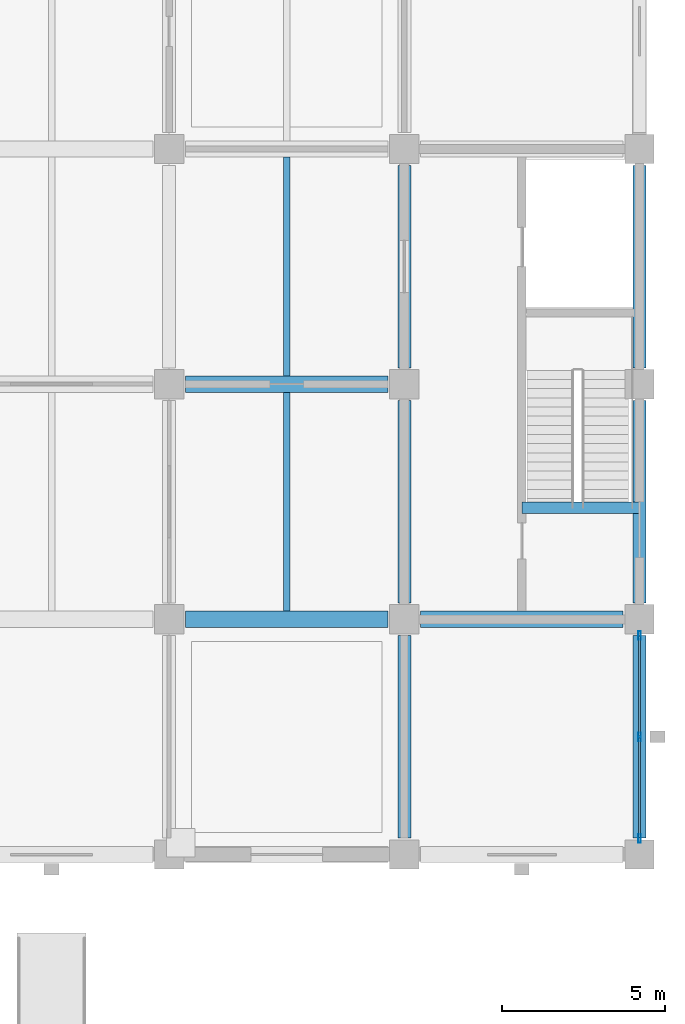
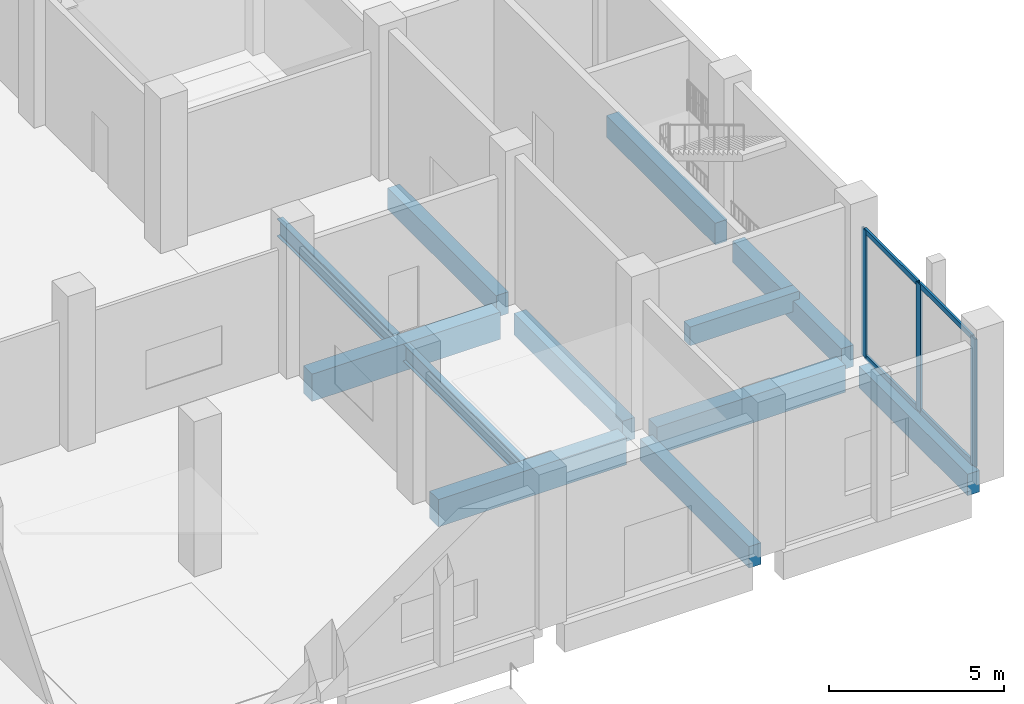
# One storey, part 35 of 70: 12 beams, 7 members, 1 element without a shape of its own.
"""IFC4 building model written with IfcOpenShell, lengths in metres."""

from ifc_helpers import new_model, si_unit, direction, frame, origin, origin_2d, place, context, subcontext, project, spatial, rectangle, hollow_rectangle, i_section, extrude, material, material_profile, profile_set, type_object, element, aggregate, save


model = new_model("IFC4")

# Units and contexts
model_context = context("Model", 3, precision=1e-05, world=origin(), true_north=direction((0.0, 1.0)))
body_context = subcontext(model_context, "Body", "Model", "MODEL_VIEW")
ifc_project = project(units=[si_unit("LENGTHUNIT", "METRE"), si_unit("AREAUNIT", "SQUARE_METRE"), si_unit("VOLUMEUNIT", "CUBIC_METRE"), si_unit("PLANEANGLEUNIT", "RADIAN"), si_unit("MASSUNIT", "GRAM", prefix="KILO")], contexts=[model_context])

# Site, building, storey
site_placement = place(None, origin())
site = spatial("IfcSite", under=ifc_project, at=site_placement, CompositionType="ELEMENT")
building_placement = place(site_placement, origin())
building = spatial("IfcBuilding", under=site, at=building_placement, Name="Vesperath Aquatics Centre", CompositionType="ELEMENT")
storey_placement = place(building_placement, origin())
storey = spatial("IfcBuildingStorey", under=building, at=storey_placement, Name="L00", CompositionType="ELEMENT", Elevation=0.0)

# Beams
ifc_material_1 = material(Name="Concrete C40", Category="concrete")
ifc_material_profile_1 = material_profile(ifc_material_1, rectangle(XDim=0.5, YDim=0.949951171875, at=origin_2d()), Name="RC 500x950")
ifc_profile_set_1 = profile_set([ifc_material_profile_1], Name="Concrete C40")
beam_type_1 = type_object("IfcBeamType", Name="BM-G02", PredefinedType="BEAM", material=ifc_profile_set_1)
for number, where, z_axis, x_axis, name in (
    (1, (158.89990234375, 7.199951171875, -0.7548828125), (1.0, 0.0, 0.0), (0.0, 1.0, 0.0), "Floor Girder B02 L00 B 23-24"),
    (2, (158.89990234375, 14.39990234375, -0.7548828125), (1.0, 0.0, 0.0), (0.0, 1.0, 0.0), "Floor Girder B02 L00 C 23-24"),
):
    element("IfcBeam", number, at=place(storey_placement, frame(where, z_axis=z_axis, x_axis=x_axis)), inside=storey, type_object=beam_type_1, Name=name, PredefinedType="BEAM", context=body_context, shape_type="SweptSolid", body=[
        extrude(rectangle(XDim=0.5, YDim=0.949951171875, at=origin_2d()), origin(), (0.0, 0.0, 1.0), 6.2001953125),
    ])
beam_1_placement = place(storey_placement, frame((166.10009765625, 7.199951171875, -0.7548828125), z_axis=(1.0, 0.0, 0.0), x_axis=(0.0, 1.0, 0.0)))
element("IfcBeam", 3, at=beam_1_placement, inside=storey, type_object=beam_type_1, Name="Floor Girder B02 L00 B 24-25", PredefinedType="BEAM", context=body_context, shape_type="SweptSolid", body=[
    extrude(rectangle(XDim=0.5, YDim=0.949951171875, at=origin_2d()), origin(), (0.0, 0.0, 1.0), 6.199951171875),
])
ifc_material_2 = material(Name="Concrete C35", Category="concrete")
ifc_material_profile_2 = material_profile(ifc_material_2, rectangle(XDim=0.39990234375, YDim=0.75, at=origin_2d()), Name="RC 400x750")
ifc_profile_set_2 = profile_set([ifc_material_profile_2], Name="Concrete C35")
beam_type_2 = type_object("IfcBeamType", Name="BM-G04", PredefinedType="BEAM", material=ifc_profile_set_2)
for number, where, z_axis, x_axis, name in (
    (4, (165.60009765625, 0.5, -0.655029296875), (0.0, 1.0, 0.0), (-1.0, 0.0, 0.0), "Floor Girder B04 L00 24 A-B"),
    (5, (165.60009765625, 7.699951171875, -0.655029296875), (0.0, 1.0, 0.0), (-1.0, 0.0, 0.0), "Floor Girder B04 L00 24 B-C"),
):
    element("IfcBeam", number, at=place(storey_placement, frame(where, z_axis=z_axis, x_axis=x_axis)), inside=storey, type_object=beam_type_2, Name=name, PredefinedType="BEAM", context=body_context, shape_type="SweptSolid", body=[
        extrude(rectangle(XDim=0.39990234375, YDim=0.75, at=origin_2d()), origin(), (0.0, 0.0, 1.0), 6.199951171875),
    ])
beam_2_placement = place(storey_placement, frame((165.60009765625, 14.89990234375, -0.655029296875), z_axis=(0.0, 1.0, 0.0), x_axis=(-1.0, 0.0, 0.0)))
element("IfcBeam", 6, at=beam_2_placement, inside=storey, type_object=beam_type_2, Name="Floor Girder B04 L00 24 C-D", PredefinedType="BEAM", context=body_context, shape_type="SweptSolid", body=[
    extrude(rectangle(XDim=0.39990234375, YDim=0.75, at=origin_2d()), origin(), (0.0, 0.0, 1.0), 6.2001953125),
])
for number, where, z_axis, x_axis, name in (
    (7, (172.800048828125, 0.5, -0.655029296875), (0.0, 1.0, 0.0), (-1.0, 0.0, 0.0), "Floor Girder B04 L00 25 A-B"),
    (8, (172.800048828125, 7.699951171875, -0.655029296875), (0.0, 1.0, 0.0), (-1.0, 0.0, 0.0), "Floor Girder B04 L00 25 B-C"),
):
    element("IfcBeam", number, at=place(storey_placement, frame(where, z_axis=z_axis, x_axis=x_axis)), inside=storey, type_object=beam_type_2, Name=name, PredefinedType="BEAM", context=body_context, shape_type="SweptSolid", body=[
        extrude(rectangle(XDim=0.39990234375, YDim=0.75, at=origin_2d()), origin(), (0.0, 0.0, 1.0), 6.199951171875),
    ])
beam_3_placement = place(storey_placement, frame((172.800048828125, 14.89990234375, -0.655029296875), z_axis=(0.0, 1.0, 0.0), x_axis=(-1.0, 0.0, 0.0)))
element("IfcBeam", 9, at=beam_3_placement, inside=storey, type_object=beam_type_2, Name="Floor Girder B04 L00 25 C-D", PredefinedType="BEAM", context=body_context, shape_type="SweptSolid", body=[
    extrude(rectangle(XDim=0.39990234375, YDim=0.75, at=origin_2d()), origin(), (0.0, 0.0, 1.0), 6.2001953125),
])
ifc_material_profile_3 = material_profile(ifc_material_2, rectangle(XDim=0.35009765625, YDim=0.64990234375, at=origin_2d()), Name="RC 350x650")
ifc_profile_set_3 = profile_set([ifc_material_profile_3], Name="Concrete C35")
beam_type_3 = type_object("IfcBeamType", Name="BM-G05", PredefinedType="BEAM", material=ifc_profile_set_3)
beam_4_placement = place(storey_placement, frame((169.199951171875, 10.6201171875, -0.324951171875), z_axis=(1.0, 0.0, 0.0), x_axis=(0.0, 1.0, 0.0)))
element("IfcBeam", 10, at=beam_4_placement, inside=storey, type_object=beam_type_3, Name="Stair ST6 Landing Trimmer Beam B05 L00", PredefinedType="BEAM", context=body_context, shape_type="SweptSolid", body=[
    extrude(rectangle(XDim=0.35009765625, YDim=0.64990234375, at=origin_2d()), origin(), (0.0, 0.0, 1.0), 3.60009765625),
])
ifc_material_3 = material(Name="Steel Q355C", Category="steel")
ifc_material_profile_4 = material_profile(ifc_material_3, i_section(OverallWidth=0.199951171875, OverallDepth=0.60009765625, WebThickness=0.010986328125, FlangeThickness=0.01708984375, FilletRadius=0.02197265625, at=origin_2d()), Name="HN 600x200x11x17")
ifc_profile_set_4 = profile_set([ifc_material_profile_4], Name="Steel Q355C")
beam_type_4 = type_object("IfcBeamType", Name="BM-J01", PredefinedType="JOIST", material=ifc_profile_set_4)
beam_5_placement = place(storey_placement, frame((162.0, 7.449951171875, -0.580078125), z_axis=(0.0, 1.0, 0.0), x_axis=(-1.0, 0.0, 0.0)))
element("IfcBeam", 11, at=beam_5_placement, inside=storey, type_object=beam_type_4, Name="Secondary Floor Joist J01 L00 23/B", PredefinedType="JOIST", context=body_context, shape_type="SweptSolid", body=[
    extrude(i_section(OverallWidth=0.199951171875, OverallDepth=0.60009765625, WebThickness=0.010986328125, FlangeThickness=0.01708984375, FilletRadius=0.02197265625, at=origin_2d()), origin(), (0.0, 0.0, 1.0), 6.699951171875),
])
beam_6_placement = place(storey_placement, frame((162.0, 14.64990234375, -0.580078125), z_axis=(0.0, 1.0, 0.0), x_axis=(-1.0, 0.0, 0.0)))
element("IfcBeam", 12, at=beam_6_placement, inside=storey, type_object=beam_type_4, Name="Secondary Floor Joist J01 L00 23/C", PredefinedType="JOIST", context=body_context, shape_type="SweptSolid", body=[
    extrude(i_section(OverallWidth=0.199951171875, OverallDepth=0.60009765625, WebThickness=0.010986328125, FlangeThickness=0.01708984375, FilletRadius=0.02197265625, at=origin_2d()), origin(), (0.0, 0.0, 1.0), 6.7001953125),
])

# Curtain wall, members
ifc_material_4 = material(Name="Thermally broken anodised bronze aluminium curtain wall", Category="aluminium")
curtain_wall_type = type_object("IfcCurtainWallType", Name="CW-01", PredefinedType="NOTDEFINED", material=ifc_material_4)
curtain_wall_placement = place(storey_placement, origin())
curtain_wall = element("IfcCurtainWall", 13, at=curtain_wall_placement, inside=storey, type_object=curtain_wall_type, Name="Facade Curtain Wall CW01 L00_E_24_00", PredefinedType="NOTDEFINED")
ifc_material_5 = material(Name="Thermally broken anodised aluminium", Category="aluminium")
ifc_material_profile_5 = material_profile(ifc_material_5, hollow_rectangle(XDim=0.074951171875, YDim=0.260009765625, WallThickness=0.006103515625, at=origin_2d()), Name="CWM 75x260x6")
ifc_profile_set_5 = profile_set([ifc_material_profile_5], Name="Thermally broken anodised aluminium")
member_type_1 = type_object("IfcMemberType", Name="MB-CWM1", PredefinedType="MULLION", material=ifc_profile_set_5)
member_1_placement = place(storey_placement, frame((172.800048828125, 0.487548828125, 0.0), z_axis=(0.0, 0.0, 1.0), x_axis=(-1.0, 0.0, 0.0)))
member_1 = element("IfcMember", 14, at=member_1_placement, type_object=member_type_1, Name="CW01 mullion 1", PredefinedType="MULLION", context=body_context, shape_type="SweptSolid", body=[
    extrude(hollow_rectangle(XDim=0.074951171875, YDim=0.260009765625, WallThickness=0.006103515625, at=origin_2d()), origin(), (0.0, 0.0, 1.0), 4.43994140625),
])
member_2_placement = place(storey_placement, frame((172.800048828125, 3.60009765625, 0.0), z_axis=(0.0, 0.0, 1.0), x_axis=(-1.0, 0.0, 0.0)))
member_2 = element("IfcMember", 15, at=member_2_placement, type_object=member_type_1, Name="CW01 mullion 2", PredefinedType="MULLION", context=body_context, shape_type="SweptSolid", body=[
    extrude(hollow_rectangle(XDim=0.074951171875, YDim=0.260009765625, WallThickness=0.006103515625, at=origin_2d()), origin(), (0.0, 0.0, 1.0), 4.43994140625),
])
member_3_placement = place(storey_placement, frame((172.800048828125, 6.71240234375, 0.0), z_axis=(0.0, 0.0, 1.0), x_axis=(-1.0, 0.0, 0.0)))
member_3 = element("IfcMember", 16, at=member_3_placement, type_object=member_type_1, Name="CW01 mullion 3", PredefinedType="MULLION", context=body_context, shape_type="SweptSolid", body=[
    extrude(hollow_rectangle(XDim=0.074951171875, YDim=0.260009765625, WallThickness=0.006103515625, at=origin_2d()), origin(), (0.0, 0.0, 1.0), 4.43994140625),
])
ifc_material_profile_6 = material_profile(ifc_material_5, hollow_rectangle(XDim=0.074951171875, YDim=0.179931640625, WallThickness=0.0048828125, at=origin_2d()), Name="CWT 75x180x5")
ifc_profile_set_6 = profile_set([ifc_material_profile_6], Name="Thermally broken anodised aluminium")
member_type_2 = type_object("IfcMemberType", Name="MB-CWT1", PredefinedType="USERDEFINED", material=ifc_profile_set_6)
member_4_placement = place(storey_placement, frame((172.800048828125, 0.52490234375, 0.03759765625), z_axis=(0.0, 1.0, 0.0), x_axis=(-1.0, 0.0, 0.0)))
member_4 = element("IfcMember", 17, at=member_4_placement, type_object=member_type_2, Name="CW01 transom 1.1", ObjectType="TRANSOM", PredefinedType="USERDEFINED", context=body_context, shape_type="SweptSolid", body=[
    extrude(hollow_rectangle(XDim=0.074951171875, YDim=0.179931640625, WallThickness=0.0048828125, at=origin_2d()), origin(), (0.0, 0.0, 1.0), 3.03759765625),
])
member_5_placement = place(storey_placement, frame((172.800048828125, 0.52490234375, 4.402587890625), z_axis=(0.0, 1.0, 0.0), x_axis=(-1.0, 0.0, 0.0)))
member_5 = element("IfcMember", 18, at=member_5_placement, type_object=member_type_2, Name="CW01 transom 1.2", ObjectType="TRANSOM", PredefinedType="USERDEFINED", context=body_context, shape_type="SweptSolid", body=[
    extrude(hollow_rectangle(XDim=0.074951171875, YDim=0.179931640625, WallThickness=0.0048828125, at=origin_2d()), origin(), (0.0, 0.0, 1.0), 3.03759765625),
])
member_6_placement = place(storey_placement, frame((172.800048828125, 3.637451171875, 0.03759765625), z_axis=(0.0, 1.0, 0.0), x_axis=(-1.0, 0.0, 0.0)))
member_6 = element("IfcMember", 19, at=member_6_placement, type_object=member_type_2, Name="CW01 transom 2.1", ObjectType="TRANSOM", PredefinedType="USERDEFINED", context=body_context, shape_type="SweptSolid", body=[
    extrude(hollow_rectangle(XDim=0.074951171875, YDim=0.179931640625, WallThickness=0.0048828125, at=origin_2d()), origin(), (0.0, 0.0, 1.0), 3.03759765625),
])
member_7_placement = place(storey_placement, frame((172.800048828125, 3.637451171875, 4.402587890625), z_axis=(0.0, 1.0, 0.0), x_axis=(-1.0, 0.0, 0.0)))
member_7 = element("IfcMember", 20, at=member_7_placement, type_object=member_type_2, Name="CW01 transom 2.2", ObjectType="TRANSOM", PredefinedType="USERDEFINED", context=body_context, shape_type="SweptSolid", body=[
    extrude(hollow_rectangle(XDim=0.074951171875, YDim=0.179931640625, WallThickness=0.0048828125, at=origin_2d()), origin(), (0.0, 0.0, 1.0), 3.03759765625),
])
aggregate(curtain_wall, [member_1, member_2, member_3, member_4, member_5, member_6, member_7])

save(model, "model.ifc")
